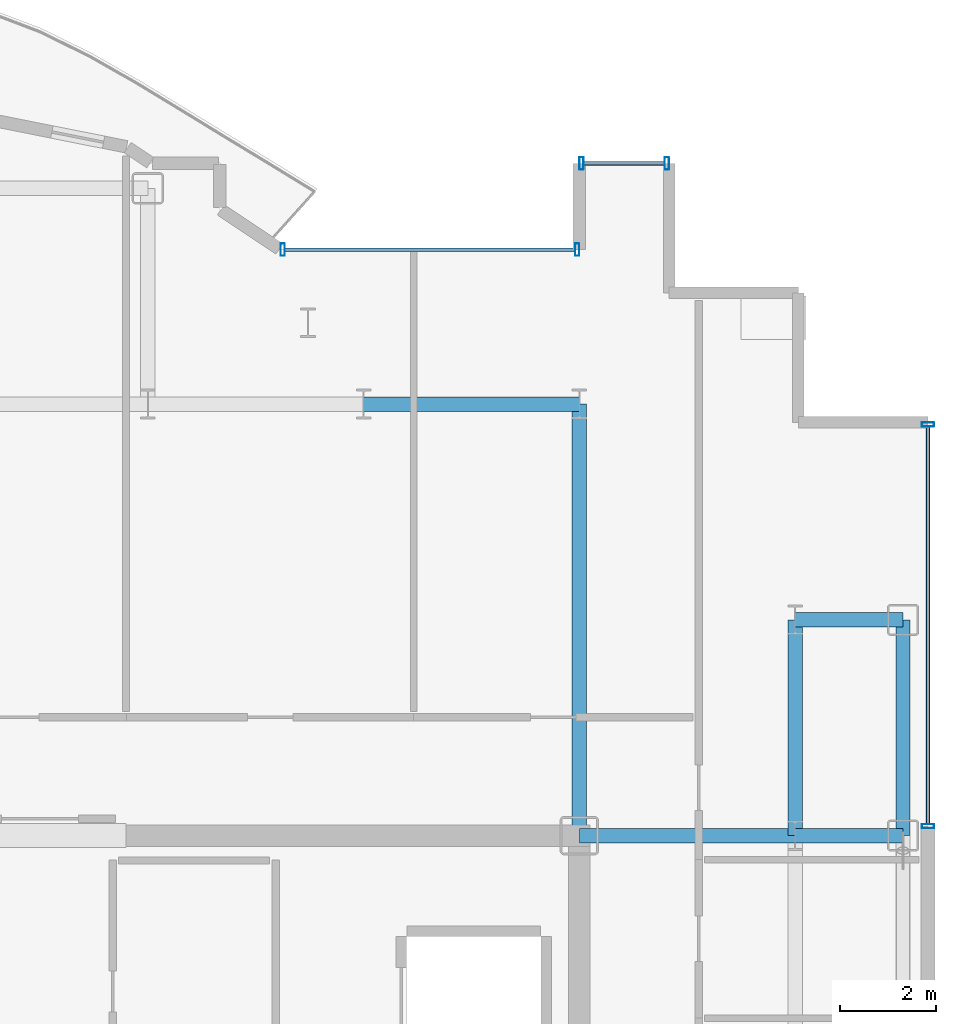
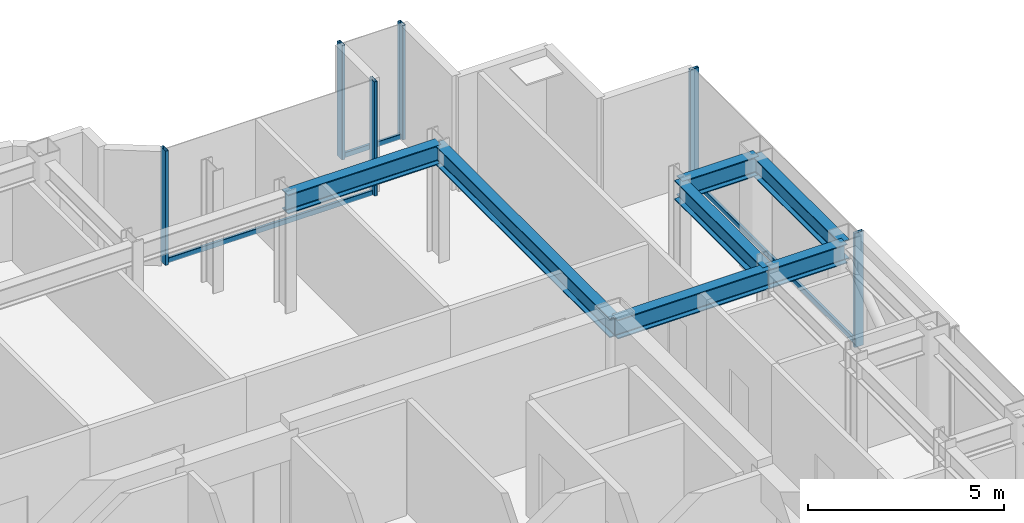
# One storey, part 9 of 16: 9 members, 7 beams, 3 elements without a shape of their own.
"""IFC4 building model written with IfcOpenShell, lengths in metres."""

from ifc_helpers import new_model, si_unit, direction, frame, origin, origin_2d, place, context, subcontext, project, spatial, hollow_rectangle, i_section, extrude, source, transform, mapped, material, layer, layer_set, material_profile, profile_set, type_object, element, aggregate, save


model = new_model("IFC4")

# Units and contexts
model_context = context("Model", 3, precision=1e-05, world=origin(), true_north=direction((0.0, 1.0)))
body_context = subcontext(model_context, "Body", "Model", "MODEL_VIEW")
ifc_project = project(units=[si_unit("LENGTHUNIT", "METRE"), si_unit("AREAUNIT", "SQUARE_METRE"), si_unit("VOLUMEUNIT", "CUBIC_METRE"), si_unit("PLANEANGLEUNIT", "RADIAN"), si_unit("MASSUNIT", "GRAM", prefix="KILO")], contexts=[model_context])

# Site, building, storey
site_placement = place(None, origin())
site = spatial("IfcSite", under=ifc_project, at=site_placement, CompositionType="ELEMENT")
building_placement = place(site_placement, origin())
building = spatial("IfcBuilding", under=site, at=building_placement, Name="Nefas-Gora Pilgrimage Tower", CompositionType="ELEMENT")
storey_placement = place(building_placement, frame((0.0, 0.0, 287.39990234375)))
storey = spatial("IfcBuildingStorey", under=building, at=storey_placement, Name="L72", CompositionType="ELEMENT", Elevation=287.39990234375)

# Beams
ifc_material_1 = material(Name="Steel S355", Category="steel")
ifc_material_profile_1 = material_profile(ifc_material_1, i_section(OverallWidth=0.300048828125, OverallDepth=0.60009765625, WebThickness=0.015380859375, FlangeThickness=0.030029296875, FilletRadius=0.027099609375, at=origin_2d()), Name="HEB 600")
ifc_profile_set_1 = profile_set([ifc_material_profile_1], Name="Steel S355")
beam_type_1 = type_object("IfcBeamType", Name="BM-SPN-HEB450", PredefinedType="SPANDREL", material=ifc_profile_set_1)
shared_shape_1 = source(origin(), body_context, "Body", "SweptSolid", [
    extrude(i_section(OverallWidth=0.300048828125, OverallDepth=0.60009765625, WebThickness=0.015380859375, FlangeThickness=0.030029296875, FilletRadius=0.027099609375, at=origin_2d()), origin(), (0.0, 0.0, 1.0), 4.5),
])
beam_1_placement = place(storey_placement, frame((18.0, 9.0, 3.25), z_axis=(0.0, 1.0, 0.0), x_axis=(-1.0, 0.0, 0.0)))
element("IfcBeam", 1, at=beam_1_placement, inside=storey, type_object=beam_type_1, Name="L72 SP-03 beam", PredefinedType="SPANDREL", context=body_context, shape_type="MappedRepresentation", body=[
    mapped(shared_shape_1, transform((0.0, 0.0, 0.0), x_axis=(1.0, 0.0, 0.0), y_axis=(0.0, 1.0, 0.0), z_axis=(0.0, 0.0, 1.0), scale=1.0)),
])
ifc_material_profile_2 = material_profile(ifc_material_1, i_section(OverallWidth=0.300048828125, OverallDepth=0.60009765625, WebThickness=0.015380859375, FlangeThickness=0.030029296875, FilletRadius=0.027099609375, at=origin_2d()), Name="HEB 600")
ifc_profile_set_2 = profile_set([ifc_material_profile_2], Name="Steel S355")
beam_type_2 = type_object("IfcBeamType", Name="BM-GIR-HEB600", PredefinedType="BEAM", material=ifc_profile_set_2)
shared_shape_2 = source(origin(), body_context, "Body", "SweptSolid", [
    extrude(i_section(OverallWidth=0.300048828125, OverallDepth=0.60009765625, WebThickness=0.015380859375, FlangeThickness=0.030029296875, FilletRadius=0.027099609375, at=origin_2d()), origin(), (0.0, 0.0, 1.0), 9.0),
])
beam_2_placement = place(storey_placement, frame((11.25, 9.0, 3.25), z_axis=(0.0, 1.0, 0.0), x_axis=(-1.0, 0.0, 0.0)))
element("IfcBeam", 2, at=beam_2_placement, inside=storey, type_object=beam_type_2, Name="L72 G-04 beam", PredefinedType="BEAM", context=body_context, shape_type="MappedRepresentation", body=[
    mapped(shared_shape_2, transform((0.0, 0.0, 0.0), x_axis=(1.0, 0.0, 0.0), y_axis=(0.0, 1.0, 0.0), z_axis=(0.0, 0.0, 1.0), scale=1.0)),
])
shared_shape_3 = source(origin(), body_context, "Body", "SweptSolid", [
    extrude(i_section(OverallWidth=0.300048828125, OverallDepth=0.60009765625, WebThickness=0.015380859375, FlangeThickness=0.030029296875, FilletRadius=0.027099609375, at=origin_2d()), origin(), (0.0, 0.0, 1.0), 4.5),
])
for number, where, z_axis, x_axis, name in (
    (3, (6.75, 18.0, 3.25), (1.0, 0.0, 0.0), (0.0, 1.0, 0.0), "L72 G-04 beam"),
    (4, (11.25, 9.0, 3.25), (1.0, 0.0, 0.0), (0.0, 1.0, 0.0), "L72 G-04 beam"),
    (5, (15.75, 9.0, 3.25), (0.0, 1.0, 0.0), (-1.0, 0.0, 0.0), "L72 G-04 beam"),
):
    element("IfcBeam", number, at=place(storey_placement, frame(where, z_axis=z_axis, x_axis=x_axis)), inside=storey, type_object=beam_type_2, Name=name, PredefinedType="BEAM", context=body_context, shape_type="MappedRepresentation", body=[
        mapped(shared_shape_3, transform((0.0, 0.0, 0.0), x_axis=(1.0, 0.0, 0.0), y_axis=(0.0, 1.0, 0.0), z_axis=(0.0, 0.0, 1.0), scale=1.0)),
    ])
shared_shape_4 = source(origin(), body_context, "Body", "SweptSolid", [
    extrude(i_section(OverallWidth=0.300048828125, OverallDepth=0.60009765625, WebThickness=0.015380859375, FlangeThickness=0.030029296875, FilletRadius=0.027099609375, at=origin_2d()), origin(), (0.0, 0.0, 1.0), 2.25),
])
for number, where, z_axis, x_axis, name in (
    (6, (15.75, 9.0, 3.25), (1.0, 0.0, 0.0), (0.0, 1.0, 0.0), "L72 G-04 beam"),
    (7, (15.75, 13.5, 3.25), (1.0, 0.0, 0.0), (0.0, 1.0, 0.0), "L72 G-04 beam"),
):
    element("IfcBeam", number, at=place(storey_placement, frame(where, z_axis=z_axis, x_axis=x_axis)), inside=storey, type_object=beam_type_2, Name=name, PredefinedType="BEAM", context=body_context, shape_type="MappedRepresentation", body=[
        mapped(shared_shape_4, transform((0.0, 0.0, 0.0), x_axis=(1.0, 0.0, 0.0), y_axis=(0.0, 1.0, 0.0), z_axis=(0.0, 0.0, 1.0), scale=1.0)),
    ])

# Curtain wall, members
ifc_material_2 = material(Name="Dark ceramic-fritted solar-control aluminium-glass curtain wall", Category="aluminium")
ifc_layer_1 = layer(ifc_material_2, 0.219970703125)
ifc_layer_set_1 = layer_set([ifc_layer_1], Name="Dark ceramic-fritted solar-control aluminium-glass curtain wall")
curtain_wall_type_1 = type_object("IfcCurtainWallType", Name="CW-SYS-5", PredefinedType="NOTDEFINED", material=ifc_layer_set_1)
curtain_wall_1_placement = place(storey_placement, origin())
curtain_wall_1 = element("IfcCurtainWall", 8, at=curtain_wall_1_placement, inside=storey, type_object=curtain_wall_type_1, Name="L72 Unitised Curtain Wall CW5", PredefinedType="NOTDEFINED")
ifc_material_3 = material(Name="Anodised architectural aluminium", Category="aluminium")
ifc_material_profile_3 = material_profile(ifc_material_3, hollow_rectangle(XDim=0.090087890625, YDim=0.260009765625, WallThickness=0.006103515625, InnerFilletRadius=0.006103515625, OuterFilletRadius=0.011962890625, at=origin_2d()), Name="ALU MULLION 90x260")
ifc_profile_set_3 = profile_set([ifc_material_profile_3], Name="Anodised architectural aluminium")
member_type_1 = type_object("IfcMemberType", Name="CWM-MUL-5", PredefinedType="MULLION", material=ifc_profile_set_3)
shared_shape_5 = source(origin(), body_context, "Body", "SweptSolid", [
    extrude(hollow_rectangle(XDim=0.090087890625, YDim=0.260009765625, WallThickness=0.006103515625, InnerFilletRadius=0.006103515625, OuterFilletRadius=0.011962890625, at=origin_2d()), origin(), (0.0, 0.0, 1.0), 3.550048828125),
])
member_1_placement = place(storey_placement, frame((11.205078125, 21.219970703125, 0.0), z_axis=(0.0, 0.0, 1.0), x_axis=(-1.0, 0.0, 0.0)))
member_1 = element("IfcMember", 9, at=member_1_placement, type_object=member_type_1, Name="CW5 Mullion 1", PredefinedType="MULLION", context=body_context, shape_type="MappedRepresentation", body=[
    mapped(shared_shape_5, transform((0.0, 0.0, 0.0), x_axis=(1.0, 0.0, 0.0), y_axis=(0.0, 1.0, 0.0), z_axis=(0.0, 0.0, 1.0), scale=1.0)),
])
member_2_placement = place(storey_placement, frame((5.06298828125, 21.219970703125, 0.0), z_axis=(0.0, 0.0, 1.0), x_axis=(-1.0, 0.0, 0.0)))
member_2 = element("IfcMember", 10, at=member_2_placement, type_object=member_type_1, Name="CW5 Mullion 2", PredefinedType="MULLION", context=body_context, shape_type="MappedRepresentation", body=[
    mapped(shared_shape_5, transform((0.0, 0.0, 0.0), x_axis=(1.0, 0.0, 0.0), y_axis=(0.0, 1.0, 0.0), z_axis=(0.0, 0.0, 1.0), scale=1.0)),
])
ifc_material_profile_4 = material_profile(ifc_material_3, hollow_rectangle(XDim=0.080078125, YDim=0.159912109375, WallThickness=0.00439453125, InnerFilletRadius=0.00439453125, OuterFilletRadius=0.009033203125, at=origin_2d()), Name="ALU TRANSOM 80x160")
ifc_profile_set_4 = profile_set([ifc_material_profile_4], Name="Anodised architectural aluminium")
member_type_2 = type_object("IfcMemberType", Name="CWM-TRN-5", PredefinedType="USERDEFINED", material=ifc_profile_set_4)
shared_shape_6 = source(origin(), body_context, "Body", "SweptSolid", [
    extrude(hollow_rectangle(XDim=0.080078125, YDim=0.159912109375, WallThickness=0.00439453125, InnerFilletRadius=0.00439453125, OuterFilletRadius=0.009033203125, at=origin_2d()), origin(), (0.0, 0.0, 1.0), 6.052001953125),
])
member_3_placement = place(storey_placement, frame((11.159912109375, 21.219970703125, 0.050048828125), z_axis=(-1.0, 0.0, 0.0), x_axis=(0.0, -1.0, 0.0)))
member_3 = element("IfcMember", 11, at=member_3_placement, type_object=member_type_2, Name="CW5 Spandrel Transom", ObjectType="TRANSOM", PredefinedType="USERDEFINED", context=body_context, shape_type="MappedRepresentation", body=[
    mapped(shared_shape_6, transform((0.0, 0.0, 0.0), x_axis=(1.0, 0.0, 0.0), y_axis=(0.0, 1.0, 0.0), z_axis=(0.0, 0.0, 1.0), scale=1.0)),
])
aggregate(curtain_wall_1, [member_1, member_2, member_3])

# Curtain wall, member
ifc_layer_2 = layer(ifc_material_2, 0.219970703125)
ifc_layer_set_2 = layer_set([ifc_layer_2], Name="Dark ceramic-fritted solar-control aluminium-glass curtain wall")
curtain_wall_type_2 = type_object("IfcCurtainWallType", Name="CW-SYS-4", PredefinedType="NOTDEFINED", material=ifc_layer_set_2)
curtain_wall_2_placement = place(storey_placement, origin())
curtain_wall_2 = element("IfcCurtainWall", 12, at=curtain_wall_2_placement, inside=storey, type_object=curtain_wall_type_2, Name="L72 Unitised Curtain Wall CW4", PredefinedType="NOTDEFINED")
ifc_material_profile_5 = material_profile(ifc_material_3, hollow_rectangle(XDim=0.080078125, YDim=0.159912109375, WallThickness=0.00439453125, InnerFilletRadius=0.00439453125, OuterFilletRadius=0.009033203125, at=origin_2d()), Name="ALU TRANSOM 80x160")
ifc_profile_set_5 = profile_set([ifc_material_profile_5], Name="Anodised architectural aluminium")
member_type_3 = type_object("IfcMemberType", Name="CWM-TRN-4", PredefinedType="USERDEFINED", material=ifc_profile_set_5)
shared_shape_7 = source(origin(), body_context, "Body", "SweptSolid", [
    extrude(hollow_rectangle(XDim=0.080078125, YDim=0.159912109375, WallThickness=0.00439453125, InnerFilletRadius=0.00439453125, OuterFilletRadius=0.009033203125, at=origin_2d()), origin(), (0.0, 0.0, 1.0), 8.2900390625),
])
member_4_placement = place(storey_placement, frame((18.52001953125, 9.239990234375, 0.050048828125), z_axis=(0.0, 1.0, 0.0), x_axis=(-1.0, 0.0, 0.0)))
member_4 = element("IfcMember", 13, at=member_4_placement, type_object=member_type_3, Name="CW4 Spandrel Transom", ObjectType="TRANSOM", PredefinedType="USERDEFINED", context=body_context, shape_type="MappedRepresentation", body=[
    mapped(shared_shape_7, transform((0.0, 0.0, 0.0), x_axis=(1.0, 0.0, 0.0), y_axis=(0.0, 1.0, 0.0), z_axis=(0.0, 0.0, 1.0), scale=1.0)),
])

curtain_wall_3_placement = place(storey_placement, origin())
curtain_wall_3 = element("IfcCurtainWall", 14, at=curtain_wall_3_placement, inside=storey, type_object=curtain_wall_type_2, Name="L72 Unitised Curtain Wall CW4", PredefinedType="NOTDEFINED")
shared_shape_8 = source(origin(), body_context, "Body", "SweptSolid", [
    extrude(hollow_rectangle(XDim=0.080078125, YDim=0.159912109375, WallThickness=0.00439453125, InnerFilletRadius=0.00439453125, OuterFilletRadius=0.009033203125, at=origin_2d()), origin(), (0.0, 0.0, 1.0), 1.68994140625),
])
member_5_placement = place(storey_placement, frame((13.030029296875, 23.02001953125, 0.050048828125), z_axis=(-1.0, 0.0, 0.0), x_axis=(0.0, -1.0, 0.0)))
member_5 = element("IfcMember", 15, at=member_5_placement, type_object=member_type_3, Name="CW4 Spandrel Transom", ObjectType="TRANSOM", PredefinedType="USERDEFINED", context=body_context, shape_type="MappedRepresentation", body=[
    mapped(shared_shape_8, transform((0.0, 0.0, 0.0), x_axis=(1.0, 0.0, 0.0), y_axis=(0.0, 1.0, 0.0), z_axis=(0.0, 0.0, 1.0), scale=1.0)),
])

# Member
ifc_material_profile_6 = material_profile(ifc_material_3, hollow_rectangle(XDim=0.090087890625, YDim=0.260009765625, WallThickness=0.006103515625, InnerFilletRadius=0.006103515625, OuterFilletRadius=0.011962890625, at=origin_2d()), Name="ALU MULLION 90x260")
ifc_profile_set_6 = profile_set([ifc_material_profile_6], Name="Anodised architectural aluminium")
member_type_4 = type_object("IfcMemberType", Name="CWM-MUL-4", PredefinedType="MULLION", material=ifc_profile_set_6)
shared_shape_9 = source(origin(), body_context, "Body", "SweptSolid", [
    extrude(hollow_rectangle(XDim=0.090087890625, YDim=0.260009765625, WallThickness=0.006103515625, InnerFilletRadius=0.006103515625, OuterFilletRadius=0.011962890625, at=origin_2d()), origin(), (0.0, 0.0, 1.0), 3.550048828125),
])
member_6_placement = place(storey_placement, frame((18.52001953125, 9.195068359375, 0.0), z_axis=(0.0, 0.0, 1.0), x_axis=(0.0, 1.0, 0.0)))
member_6 = element("IfcMember", 16, at=member_6_placement, type_object=member_type_4, Name="CW4 Mullion 1", PredefinedType="MULLION", context=body_context, shape_type="MappedRepresentation", body=[
    mapped(shared_shape_9, transform((0.0, 0.0, 0.0), x_axis=(1.0, 0.0, 0.0), y_axis=(0.0, 1.0, 0.0), z_axis=(0.0, 0.0, 1.0), scale=1.0)),
])

member_7_placement = place(storey_placement, frame((18.52001953125, 17.574951171875, 0.0), z_axis=(0.0, 0.0, 1.0), x_axis=(0.0, 1.0, 0.0)))
member_7 = element("IfcMember", 17, at=member_7_placement, type_object=member_type_4, Name="CW4 Mullion 2", PredefinedType="MULLION", context=body_context, shape_type="MappedRepresentation", body=[
    mapped(shared_shape_9, transform((0.0, 0.0, 0.0), x_axis=(1.0, 0.0, 0.0), y_axis=(0.0, 1.0, 0.0), z_axis=(0.0, 0.0, 1.0), scale=1.0)),
])

aggregate(curtain_wall_2, [member_6, member_7, member_4])

member_8_placement = place(storey_placement, frame((13.074951171875, 23.02001953125, 0.0), z_axis=(0.0, 0.0, 1.0), x_axis=(-1.0, 0.0, 0.0)))
member_8 = element("IfcMember", 18, at=member_8_placement, type_object=member_type_4, Name="CW4 Mullion 1", PredefinedType="MULLION", context=body_context, shape_type="MappedRepresentation", body=[
    mapped(shared_shape_9, transform((0.0, 0.0, 0.0), x_axis=(1.0, 0.0, 0.0), y_axis=(0.0, 1.0, 0.0), z_axis=(0.0, 0.0, 1.0), scale=1.0)),
])

member_9_placement = place(storey_placement, frame((11.294921875, 23.02001953125, 0.0), z_axis=(0.0, 0.0, 1.0), x_axis=(-1.0, 0.0, 0.0)))
member_9 = element("IfcMember", 19, at=member_9_placement, type_object=member_type_4, Name="CW4 Mullion 2", PredefinedType="MULLION", context=body_context, shape_type="MappedRepresentation", body=[
    mapped(shared_shape_9, transform((0.0, 0.0, 0.0), x_axis=(1.0, 0.0, 0.0), y_axis=(0.0, 1.0, 0.0), z_axis=(0.0, 0.0, 1.0), scale=1.0)),
])

aggregate(curtain_wall_3, [member_8, member_9, member_5])

save(model, "model.ifc")
